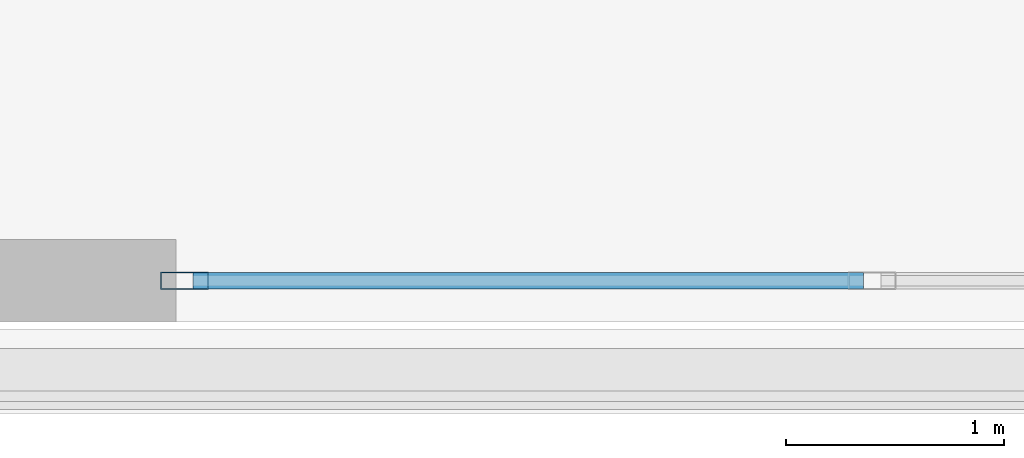
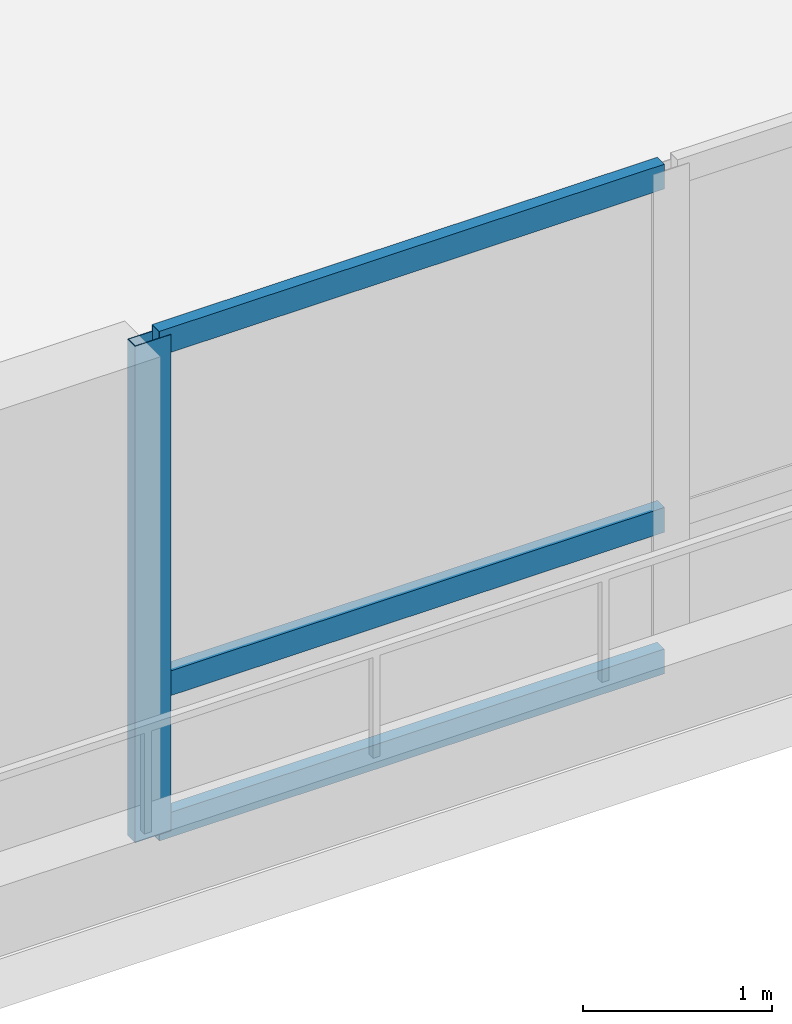
# One storey, part 2 of 16: 4 members, 1 element without a shape of its own.
"""IFC4 building model written with IfcOpenShell, lengths in metres."""

from ifc_helpers import new_model, si_unit, direction, frame, origin, origin_2d, place, context, subcontext, project, spatial, hollow_rectangle, extrude, source, transform, mapped, material, material_profile, profile_set, type_object, element, aggregate, save


model = new_model("IFC4")

# Units and contexts
model_context = context("Model", 3, precision=1e-05, world=origin(), true_north=direction((0.0, 1.0)))
body_context = subcontext(model_context, "Body", "Model", "MODEL_VIEW")
ifc_project = project(units=[si_unit("LENGTHUNIT", "METRE"), si_unit("AREAUNIT", "SQUARE_METRE"), si_unit("VOLUMEUNIT", "CUBIC_METRE"), si_unit("PLANEANGLEUNIT", "RADIAN"), si_unit("MASSUNIT", "GRAM", prefix="KILO")], contexts=[model_context])

# Site, building, storey
site_placement = place(None, origin())
site = spatial("IfcSite", under=ifc_project, at=site_placement, CompositionType="ELEMENT")
building_placement = place(site_placement, origin())
building = spatial("IfcBuilding", under=site, at=building_placement, Name="Olszyna Solenne Hotel", CompositionType="ELEMENT")
storey_placement = place(building_placement, frame((0.0, 0.0, 20.10009765625)))
storey = spatial("IfcBuildingStorey", under=building, at=storey_placement, Name="L04", CompositionType="ELEMENT", Elevation=20.10009765625)

# Curtain wall, members
ifc_material = material(Name="Anodised bronze aluminium", Category="aluminium")
curtain_wall_type = type_object("IfcCurtainWallType", Name="CW-SYS-1", PredefinedType="NOTDEFINED", material=ifc_material)
curtain_wall_placement = place(storey_placement, origin())
curtain_wall = element("IfcCurtainWall", 1, at=curtain_wall_placement, inside=storey, type_object=curtain_wall_type, Name="Unitised curtain wall CW-SYS-1 CW-L04-01", PredefinedType="NOTDEFINED")
ifc_material_profile_1 = material_profile(ifc_material, hollow_rectangle(XDim=0.074951171875, YDim=0.159912109375, WallThickness=0.00390625, at=origin_2d()), Name="TRAN 160x75x4", Category="load-bearing")
ifc_profile_set_1 = profile_set([ifc_material_profile_1], Name="Anodised bronze aluminium")
member_type_1 = type_object("IfcMemberType", Name="CW-T1", PredefinedType="USERDEFINED", material=ifc_profile_set_1)
shared_shape_1 = source(origin(), body_context, "Body", "SweptSolid", [
    extrude(hollow_rectangle(XDim=0.074951171875, YDim=0.159912109375, WallThickness=0.00390625, at=origin_2d()), origin(), (0.0, 0.0, 1.0), 3.080078125),
])
member_1_placement = place(storey_placement, frame((34.8798828125, 4.469970703125, 0.037353515625), z_axis=(1.0, 0.0, 0.0), x_axis=(0.0, 1.0, 0.0)))
member_1 = element("IfcMember", 2, at=member_1_placement, type_object=member_type_1, Name="Curtain-wall transom CW-T1 CT-L04-01-01", ObjectType="TRANSOM", PredefinedType="USERDEFINED", context=body_context, shape_type="MappedRepresentation", body=[
    mapped(shared_shape_1, transform((0.0, 0.0, 0.0), x_axis=(1.0, 0.0, 0.0), y_axis=(0.0, 1.0, 0.0), z_axis=(0.0, 0.0, 1.0), scale=1.0)),
])
member_2_placement = place(storey_placement, frame((34.8798828125, 4.469970703125, 0.949951171875), z_axis=(1.0, 0.0, 0.0), x_axis=(0.0, 1.0, 0.0)))
member_2 = element("IfcMember", 3, at=member_2_placement, type_object=member_type_1, Name="Curtain-wall transom CW-T1 CT-L04-01-02", ObjectType="TRANSOM", PredefinedType="USERDEFINED", context=body_context, shape_type="MappedRepresentation", body=[
    mapped(shared_shape_1, transform((0.0, 0.0, 0.0), x_axis=(1.0, 0.0, 0.0), y_axis=(0.0, 1.0, 0.0), z_axis=(0.0, 0.0, 1.0), scale=1.0)),
])
member_3_placement = place(storey_placement, frame((34.8798828125, 4.469970703125, 3.162353515625), z_axis=(1.0, 0.0, 0.0), x_axis=(0.0, 1.0, 0.0)))
member_3 = element("IfcMember", 4, at=member_3_placement, type_object=member_type_1, Name="Curtain-wall transom CW-T1 CT-L04-01-03", ObjectType="TRANSOM", PredefinedType="USERDEFINED", context=body_context, shape_type="MappedRepresentation", body=[
    mapped(shared_shape_1, transform((0.0, 0.0, 0.0), x_axis=(1.0, 0.0, 0.0), y_axis=(0.0, 1.0, 0.0), z_axis=(0.0, 0.0, 1.0), scale=1.0)),
])
ifc_material_profile_2 = material_profile(ifc_material, hollow_rectangle(XDim=0.080078125, YDim=0.219970703125, WallThickness=0.0048828125, at=origin_2d()), Name="MULL 220x80x5", Category="load-bearing")
ifc_profile_set_2 = profile_set([ifc_material_profile_2], Name="Anodised bronze aluminium")
member_type_2 = type_object("IfcMemberType", Name="CW-M1", PredefinedType="MULLION", material=ifc_profile_set_2)
shared_shape_2 = source(origin(), body_context, "Body", "SweptSolid", [
    extrude(hollow_rectangle(XDim=0.080078125, YDim=0.219970703125, WallThickness=0.0048828125, at=origin_2d()), origin(), (0.0, 0.0, 1.0), 3.199951171875),
])
member_4_placement = place(storey_placement, frame((34.840087890625, 4.469970703125, 0.0), z_axis=(0.0, 0.0, 1.0), x_axis=(0.0, 1.0, 0.0)))
member_4 = element("IfcMember", 5, at=member_4_placement, type_object=member_type_2, Name="Curtain-wall mullion CW-M1 CM-L04-01-01", PredefinedType="MULLION", context=body_context, shape_type="MappedRepresentation", body=[
    mapped(shared_shape_2, transform((0.0, 0.0, 0.0), x_axis=(1.0, 0.0, 0.0), y_axis=(0.0, 1.0, 0.0), z_axis=(0.0, 0.0, 1.0), scale=1.0)),
])
aggregate(curtain_wall, [member_4, member_1, member_2, member_3])

save(model, "model.ifc")
